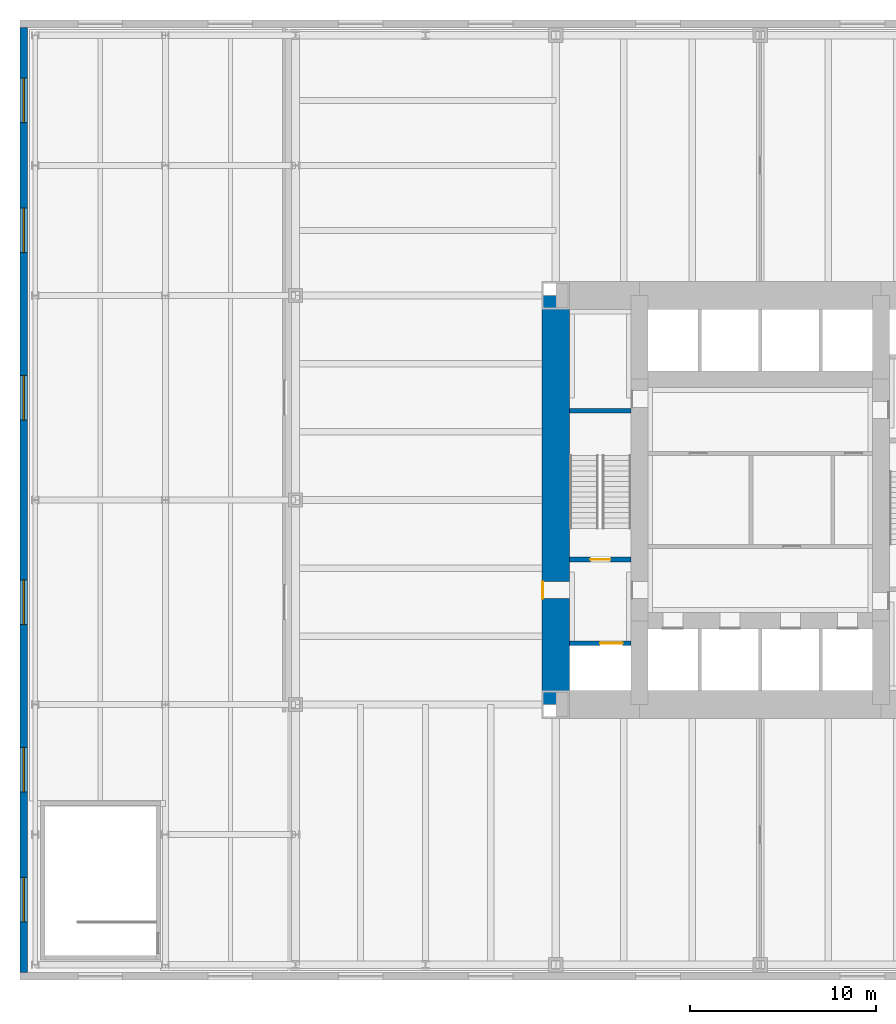
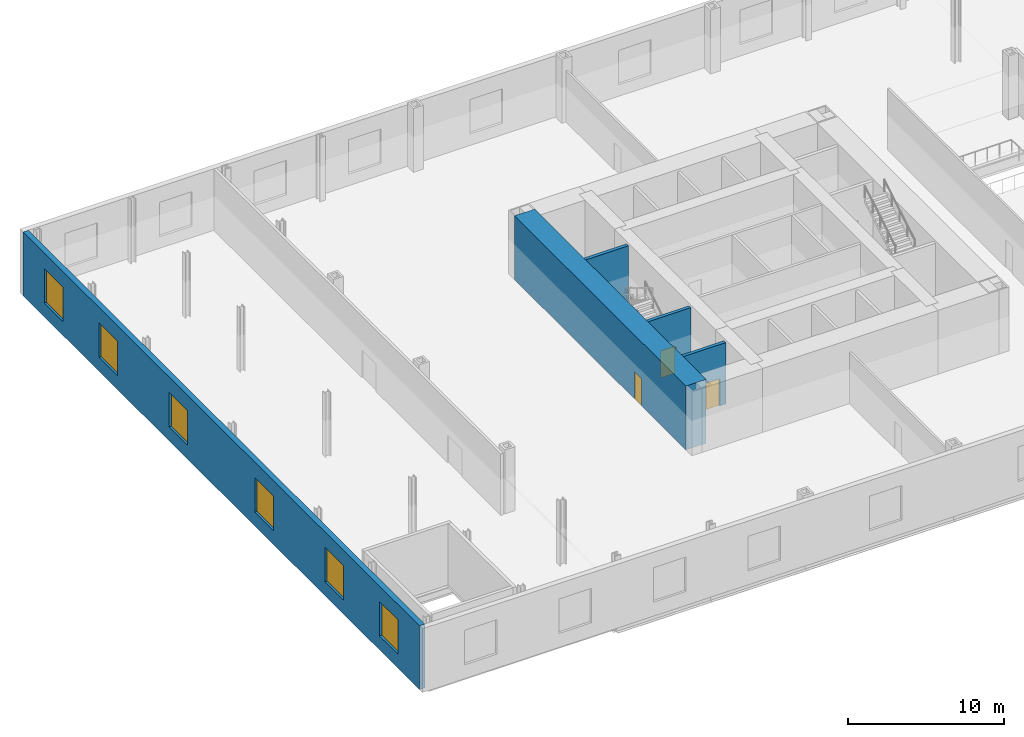
# One storey, part 7 of 12: 6 windows, 5 walls, 3 doors, 9 openings.
"""IFC4 building model written with IfcOpenShell, lengths in metres."""

from ifc_helpers import new_model, si_unit, direction, frame, frame_2d, origin, place, context, subcontext, project, spatial, rectangle, extrude, material, layer, layer_set, type_object, element, fill, save


model = new_model("IFC4")

# Units and contexts
model_context = context("Model", 3, precision=1e-05, world=origin(), true_north=direction((0.0, 1.0)))
body_context = subcontext(model_context, "Body", "Model", "MODEL_VIEW")
ifc_project = project(units=[si_unit("LENGTHUNIT", "METRE"), si_unit("AREAUNIT", "SQUARE_METRE"), si_unit("VOLUMEUNIT", "CUBIC_METRE"), si_unit("PLANEANGLEUNIT", "RADIAN"), si_unit("MASSUNIT", "GRAM", prefix="KILO")], contexts=[model_context])

# Site, building, storey
site_placement = place(None, origin())
site = spatial("IfcSite", under=ifc_project, at=site_placement, CompositionType="ELEMENT")
building_placement = place(site_placement, origin())
building = spatial("IfcBuilding", under=site, at=building_placement, Name="Trevanion Tower", CompositionType="ELEMENT")
storey_placement = place(building_placement, frame((0.0, 0.0, 11.0)))
storey = spatial("IfcBuildingStorey", under=building, at=storey_placement, Name="L02", CompositionType="ELEMENT", Elevation=11.0)

# Wall, opening, door
ifc_material_1 = material(Name="Concrete 10,000 psi", Category="concrete")
ifc_layer_1 = layer(ifc_material_1, 1.5)
ifc_layer_set_1 = layer_set([ifc_layer_1], Name="CW1 core wall 1500")
wall_type_1 = type_object("IfcWallType", Name="CW1 core wall 1500", PredefinedType="SHEAR", material=ifc_layer_set_1)
wall_1_placement = place(storey_placement, frame((-11.0, 11.0, 0.0), z_axis=(0.0, 0.0, 1.0), x_axis=(0.0, -1.0, 0.0)))
wall_1 = element("IfcWall", 1, at=wall_1_placement, inside=storey, type_object=wall_type_1, Name="CW1 CW L02", PredefinedType="SHEAR", context=body_context, shape_type="SweptSolid", body=[
    extrude(rectangle(XDim=22.0, YDim=1.5, at=frame_2d((11.0, 0.0))), origin(), (0.0, 0.0, 1.0), 5.0),
])
opening_1_placement = place(wall_1_placement, frame((15.392578125, 0.0, 0.0)))
opening_1 = element("IfcOpeningElement", 2, at=opening_1_placement, cuts=wall_1, Name="Opening 02-002", PredefinedType="OPENING", context=body_context, shape_type="SweptSolid", body=[
    extrude(rectangle(XDim=0.9150390625, YDim=2.134033203125, at=frame_2d((0.45751953125, 1.06689453125))), frame((0.0, 0.760009765625, 0.0), z_axis=(0.0, -1.0, 0.0), x_axis=(1.0, 0.0, 0.0)), (0.0, 0.0, 1.0), 1.52001953125),
])
ifc_material_2 = material(Name="Hollow metal, fire rated", Category="steel")
door_type_1 = type_object("IfcDoorType", Name="D3 fire lift lobby door", OperationType="SINGLE_SWING_RIGHT", PredefinedType="DOOR", material=ifc_material_2)
door_1_placement = place(opening_1_placement, origin())
door_1 = element("IfcDoor", 3, at=door_1_placement, inside=storey, type_object=door_type_1, Name="Door 02-002", OperationType="SINGLE_SWING_RIGHT", OverallHeight=2.134033203125, OverallWidth=0.9150390625, PredefinedType="DOOR", context=body_context, shape_type="SweptSolid", body=[
    extrude(rectangle(XDim=0.9150390625, YDim=2.134033203125, at=frame_2d((0.45751953125, 1.06689453125))), frame((0.0, -0.6748046875, 0.0), z_axis=(0.0, -1.0, 0.0), x_axis=(1.0, 0.0, 0.0)), (0.0, 0.0, 1.0), 0.050048828125),
])
fill(opening_1, door_1)

# Wall, openings, windows
ifc_material_3 = material(Name="Granite cladding on concrete masonry", Category="masonry")
ifc_layer_2 = layer(ifc_material_3, 0.39990234375)
ifc_layer_set_2 = layer_set([ifc_layer_2], Name="EW1 granite-faced wall 400")
wall_type_2 = type_object("IfcWallType", Name="EW1 granite-faced wall 400", PredefinedType="SOLIDWALL", material=ifc_layer_set_2)
wall_2_placement = place(storey_placement, frame((-39.6201171875, 25.419921875, -0.18994140625), z_axis=(0.0, 0.0, 1.0), x_axis=(0.0, -1.0, 0.0)))
wall_2 = element("IfcWall", 4, at=wall_2_placement, inside=storey, type_object=wall_type_2, Name="EW1 W L02", PredefinedType="SOLIDWALL", context=body_context, shape_type="SweptSolid", body=[
    extrude(rectangle(XDim=50.83984375, YDim=0.39990234375, at=frame_2d((25.419921875, 0.0))), origin(), (0.0, 0.0, 1.0), 5.0),
])
opening_2_placement = place(wall_2_placement, frame((45.719970703125, 0.0, 1.090087890625)))
opening_2 = element("IfcOpeningElement", 5, at=opening_2_placement, cuts=wall_2, Name="Opening WN2", PredefinedType="OPENING", context=body_context, shape_type="SweptSolid", body=[
    extrude(rectangle(XDim=2.39990234375, YDim=2.699951171875, at=frame_2d((1.199951171875, 1.35009765625))), frame((0.0, 0.2099609375, 0.0), z_axis=(0.0, -1.0, 0.0), x_axis=(1.0, 0.0, 0.0)), (0.0, 0.0, 1.0), 0.419921875),
])
opening_3_placement = place(wall_2_placement, frame((38.719970703125, 0.0, 1.090087890625)))
opening_3 = element("IfcOpeningElement", 6, at=opening_3_placement, cuts=wall_2, Name="Opening WN2", PredefinedType="OPENING", context=body_context, shape_type="SweptSolid", body=[
    extrude(rectangle(XDim=2.39990234375, YDim=2.699951171875, at=frame_2d((1.199951171875, 1.35009765625))), frame((0.0, 0.2099609375, 0.0), z_axis=(0.0, -1.0, 0.0), x_axis=(1.0, 0.0, 0.0)), (0.0, 0.0, 1.0), 0.419921875),
])
opening_4_placement = place(wall_2_placement, frame((29.719970703125, 0.0, 1.090087890625)))
opening_4 = element("IfcOpeningElement", 7, at=opening_4_placement, cuts=wall_2, Name="Opening WN2", PredefinedType="OPENING", context=body_context, shape_type="SweptSolid", body=[
    extrude(rectangle(XDim=2.39990234375, YDim=2.699951171875, at=frame_2d((1.199951171875, 1.35009765625))), frame((0.0, 0.2099609375, 0.0), z_axis=(0.0, -1.0, 0.0), x_axis=(1.0, 0.0, 0.0)), (0.0, 0.0, 1.0), 0.419921875),
])
opening_5_placement = place(wall_2_placement, frame((18.719970703125, 0.0, 1.090087890625)))
opening_5 = element("IfcOpeningElement", 8, at=opening_5_placement, cuts=wall_2, Name="Opening WN2", PredefinedType="OPENING", context=body_context, shape_type="SweptSolid", body=[
    extrude(rectangle(XDim=2.39990234375, YDim=2.699951171875, at=frame_2d((1.199951171875, 1.35009765625))), frame((0.0, 0.2099609375, 0.0), z_axis=(0.0, -1.0, 0.0), x_axis=(1.0, 0.0, 0.0)), (0.0, 0.0, 1.0), 0.419921875),
])
opening_6_placement = place(wall_2_placement, frame((9.719970703125, 0.0, 1.090087890625)))
opening_6 = element("IfcOpeningElement", 9, at=opening_6_placement, cuts=wall_2, Name="Opening WN2", PredefinedType="OPENING", context=body_context, shape_type="SweptSolid", body=[
    extrude(rectangle(XDim=2.39990234375, YDim=2.699951171875, at=frame_2d((1.199951171875, 1.35009765625))), frame((0.0, 0.2099609375, 0.0), z_axis=(0.0, -1.0, 0.0), x_axis=(1.0, 0.0, 0.0)), (0.0, 0.0, 1.0), 0.419921875),
])
opening_7_placement = place(wall_2_placement, frame((2.719970703125, 0.0, 1.090087890625)))
opening_7 = element("IfcOpeningElement", 10, at=opening_7_placement, cuts=wall_2, Name="Opening WN2", PredefinedType="OPENING", context=body_context, shape_type="SweptSolid", body=[
    extrude(rectangle(XDim=2.39990234375, YDim=2.699951171875, at=frame_2d((1.199951171875, 1.35009765625))), frame((0.0, 0.2099609375, 0.0), z_axis=(0.0, -1.0, 0.0), x_axis=(1.0, 0.0, 0.0)), (0.0, 0.0, 1.0), 0.419921875),
])
ifc_material_4 = material(Name="Bronze-finish aluminium frame, insulating glass", Category="aluminium")
window_type = type_object("IfcWindowType", Name="WN2 window 2400x2700", PartitioningType="SINGLE_PANEL", PredefinedType="WINDOW", material=ifc_material_4)
window_1_placement = place(opening_2_placement, origin())
window_1 = element("IfcWindow", 11, at=window_1_placement, inside=storey, type_object=window_type, Name="WN2 W L02", OverallHeight=2.699951171875, OverallWidth=2.39990234375, PartitioningType="SINGLE_PANEL", PredefinedType="WINDOW", context=body_context, shape_type="SweptSolid", body=[
    extrude(rectangle(XDim=2.39990234375, YDim=2.699951171875, at=frame_2d((1.199951171875, 1.35009765625))), frame((0.0, 0.030029296875, 0.0), z_axis=(0.0, -1.0, 0.0), x_axis=(1.0, 0.0, 0.0)), (0.0, 0.0, 1.0), 0.06005859375),
])
fill(opening_2, window_1)
window_2_placement = place(opening_3_placement, origin())
window_2 = element("IfcWindow", 12, at=window_2_placement, inside=storey, type_object=window_type, Name="WN2 W L02", OverallHeight=2.699951171875, OverallWidth=2.39990234375, PartitioningType="SINGLE_PANEL", PredefinedType="WINDOW", context=body_context, shape_type="SweptSolid", body=[
    extrude(rectangle(XDim=2.39990234375, YDim=2.699951171875, at=frame_2d((1.199951171875, 1.35009765625))), frame((0.0, 0.030029296875, 0.0), z_axis=(0.0, -1.0, 0.0), x_axis=(1.0, 0.0, 0.0)), (0.0, 0.0, 1.0), 0.06005859375),
])
fill(opening_3, window_2)
window_3_placement = place(opening_4_placement, origin())
window_3 = element("IfcWindow", 13, at=window_3_placement, inside=storey, type_object=window_type, Name="WN2 W L02", OverallHeight=2.699951171875, OverallWidth=2.39990234375, PartitioningType="SINGLE_PANEL", PredefinedType="WINDOW", context=body_context, shape_type="SweptSolid", body=[
    extrude(rectangle(XDim=2.39990234375, YDim=2.699951171875, at=frame_2d((1.199951171875, 1.35009765625))), frame((0.0, 0.030029296875, 0.0), z_axis=(0.0, -1.0, 0.0), x_axis=(1.0, 0.0, 0.0)), (0.0, 0.0, 1.0), 0.06005859375),
])
fill(opening_4, window_3)
window_4_placement = place(opening_5_placement, origin())
window_4 = element("IfcWindow", 14, at=window_4_placement, inside=storey, type_object=window_type, Name="WN2 W L02", OverallHeight=2.699951171875, OverallWidth=2.39990234375, PartitioningType="SINGLE_PANEL", PredefinedType="WINDOW", context=body_context, shape_type="SweptSolid", body=[
    extrude(rectangle(XDim=2.39990234375, YDim=2.699951171875, at=frame_2d((1.199951171875, 1.35009765625))), frame((0.0, 0.030029296875, 0.0), z_axis=(0.0, -1.0, 0.0), x_axis=(1.0, 0.0, 0.0)), (0.0, 0.0, 1.0), 0.06005859375),
])
fill(opening_5, window_4)
window_5_placement = place(opening_6_placement, origin())
window_5 = element("IfcWindow", 15, at=window_5_placement, inside=storey, type_object=window_type, Name="WN2 W L02", OverallHeight=2.699951171875, OverallWidth=2.39990234375, PartitioningType="SINGLE_PANEL", PredefinedType="WINDOW", context=body_context, shape_type="SweptSolid", body=[
    extrude(rectangle(XDim=2.39990234375, YDim=2.699951171875, at=frame_2d((1.199951171875, 1.35009765625))), frame((0.0, 0.030029296875, 0.0), z_axis=(0.0, -1.0, 0.0), x_axis=(1.0, 0.0, 0.0)), (0.0, 0.0, 1.0), 0.06005859375),
])
fill(opening_6, window_5)
window_6_placement = place(opening_7_placement, origin())
window_6 = element("IfcWindow", 16, at=window_6_placement, inside=storey, type_object=window_type, Name="WN2 W L02", OverallHeight=2.699951171875, OverallWidth=2.39990234375, PartitioningType="SINGLE_PANEL", PredefinedType="WINDOW", context=body_context, shape_type="SweptSolid", body=[
    extrude(rectangle(XDim=2.39990234375, YDim=2.699951171875, at=frame_2d((1.199951171875, 1.35009765625))), frame((0.0, 0.030029296875, 0.0), z_axis=(0.0, -1.0, 0.0), x_axis=(1.0, 0.0, 0.0)), (0.0, 0.0, 1.0), 0.06005859375),
])
fill(opening_7, window_6)

# Wall, opening, door
ifc_material_5 = material(Name="Concrete masonry, grouted, two-hour", Category="masonry")
ifc_layer_3 = layer(ifc_material_5, 0.25)
ifc_layer_set_3 = layer_set([ifc_layer_3], Name="PT3 partition 250 2 HR")
wall_type_3 = type_object("IfcWallType", Name="PT3 partition 250 2 HR", PredefinedType="PARTITIONING", material=ifc_layer_set_3)
wall_3_placement = place(storey_placement, frame((-6.949951171875, -7.699951171875, 0.0), z_axis=(0.0, 0.0, 1.0), x_axis=(-1.0, 0.0, 0.0)))
wall_3 = element("IfcWall", 17, at=wall_3_placement, inside=storey, type_object=wall_type_3, Name="PT3 L02 WP3", PredefinedType="PARTITIONING", context=body_context, shape_type="SweptSolid", body=[
    extrude(rectangle(XDim=3.300048828125, YDim=0.25, at=frame_2d((1.64990234375, 0.0))), origin(), (0.0, 0.0, 1.0), 4.81005859375),
])
opening_8_placement = place(wall_3_placement, frame((0.449951171875, 0.0, 0.0)))
opening_8 = element("IfcOpeningElement", 18, at=opening_8_placement, cuts=wall_3, Name="Opening 02-008", PredefinedType="OPENING", context=body_context, shape_type="SweptSolid", body=[
    extrude(rectangle(XDim=1.218994140625, YDim=2.134033203125, at=frame_2d((0.609375, 1.06689453125))), frame((0.0, 0.135009765625, 0.0), z_axis=(0.0, -1.0, 0.0), x_axis=(1.0, 0.0, 0.0)), (0.0, 0.0, 1.0), 0.27001953125),
])
ifc_material_6 = material(Name="Stainless steel, fire rated", Category="steel")
door_type_2 = type_object("IfcDoorType", Name="LD2 fire service lift landing door", OperationType="SLIDING_TO_LEFT", PredefinedType="DOOR", material=ifc_material_6)
door_2_placement = place(opening_8_placement, origin())
door_2 = element("IfcDoor", 19, at=door_2_placement, inside=storey, type_object=door_type_2, Name="Door 02-008", OperationType="SLIDING_TO_LEFT", OverallHeight=2.134033203125, OverallWidth=1.218994140625, PredefinedType="DOOR", context=body_context, shape_type="SweptSolid", body=[
    extrude(rectangle(XDim=1.218994140625, YDim=2.134033203125, at=frame_2d((0.609375, 1.06689453125))), frame((0.0, 0.02490234375, 0.0), z_axis=(0.0, -1.0, 0.0), x_axis=(1.0, 0.0, 0.0)), (0.0, 0.0, 1.0), 0.050048828125),
])
fill(opening_8, door_2)

# Wall
ifc_material_7 = material(Name="Reinforced masonry, fully grouted", Category="masonry")
ifc_layer_4 = layer(ifc_material_7, 0.25)
ifc_layer_set_4 = layer_set([ifc_layer_4], Name="SW1 stair shaft wall 250")
wall_type_4 = type_object("IfcWallType", Name="SW1 stair shaft wall 250", PredefinedType="SOLIDWALL", material=ifc_layer_set_4)
wall_4_placement = place(storey_placement, frame((-6.949951171875, 4.800048828125, 0.0), z_axis=(0.0, 0.0, 1.0), x_axis=(-1.0, 0.0, 0.0)))
element("IfcWall", 20, at=wall_4_placement, inside=storey, type_object=wall_type_4, Name="SW1 L02 WP1", PredefinedType="SOLIDWALL", context=body_context, shape_type="SweptSolid", body=[
    extrude(rectangle(XDim=3.300048828125, YDim=0.25, at=frame_2d((1.64990234375, 0.0))), origin(), (0.0, 0.0, 1.0), 4.81005859375),
])

# Wall, opening, door
wall_5_placement = place(storey_placement, frame((-6.949951171875, -3.199951171875, 0.0), z_axis=(0.0, 0.0, 1.0), x_axis=(-1.0, 0.0, 0.0)))
wall_5 = element("IfcWall", 21, at=wall_5_placement, inside=storey, type_object=wall_type_4, Name="SW1 L02 WP2", PredefinedType="SOLIDWALL", context=body_context, shape_type="SweptSolid", body=[
    extrude(rectangle(XDim=3.300048828125, YDim=0.25, at=frame_2d((1.64990234375, 0.0))), origin(), (0.0, 0.0, 1.0), 4.81005859375),
])
opening_9_placement = place(wall_5_placement, frame((1.116455078125, 0.0, 0.0)))
opening_9 = element("IfcOpeningElement", 22, at=opening_9_placement, cuts=wall_5, Name="Opening 02-006", PredefinedType="OPENING", context=body_context, shape_type="SweptSolid", body=[
    extrude(rectangle(XDim=1.06689453125, YDim=2.134033203125, at=frame_2d((0.533447265625, 1.06689453125))), frame((0.0, 0.135009765625, 0.0), z_axis=(0.0, -1.0, 0.0), x_axis=(1.0, 0.0, 0.0)), (0.0, 0.0, 1.0), 0.27001953125),
])
ifc_material_8 = material(Name="Hollow metal, fire rated", Category="steel")
door_type_3 = type_object("IfcDoorType", Name="D2 exit stair door", OperationType="SINGLE_SWING_LEFT", PredefinedType="DOOR", material=ifc_material_8)
door_3_placement = place(opening_9_placement, origin())
door_3 = element("IfcDoor", 23, at=door_3_placement, inside=storey, type_object=door_type_3, Name="Door 02-006", OperationType="SINGLE_SWING_LEFT", OverallHeight=2.134033203125, OverallWidth=1.06689453125, PredefinedType="DOOR", context=body_context, shape_type="SweptSolid", body=[
    extrude(rectangle(XDim=1.06689453125, YDim=2.134033203125, at=frame_2d((0.533447265625, 1.06689453125))), frame((0.0, 0.02490234375, 0.0), z_axis=(0.0, -1.0, 0.0), x_axis=(1.0, 0.0, 0.0)), (0.0, 0.0, 1.0), 0.050048828125),
])
fill(opening_9, door_3)

save(model, "model.ifc")
